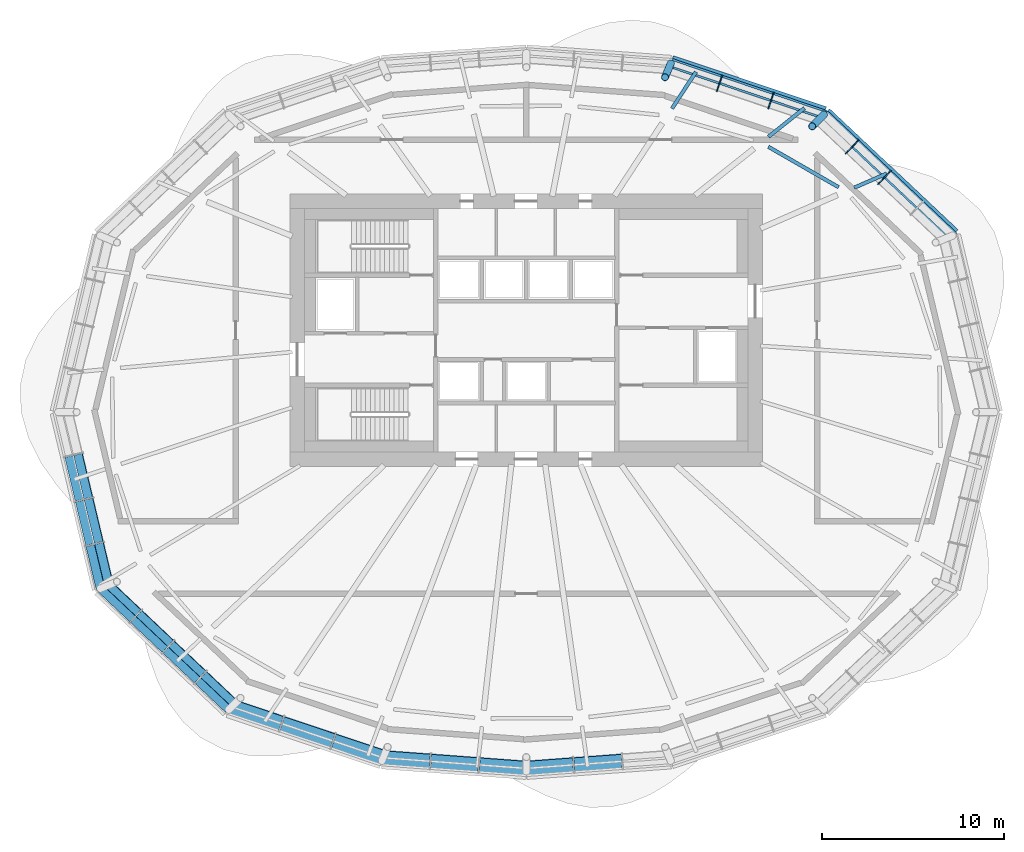
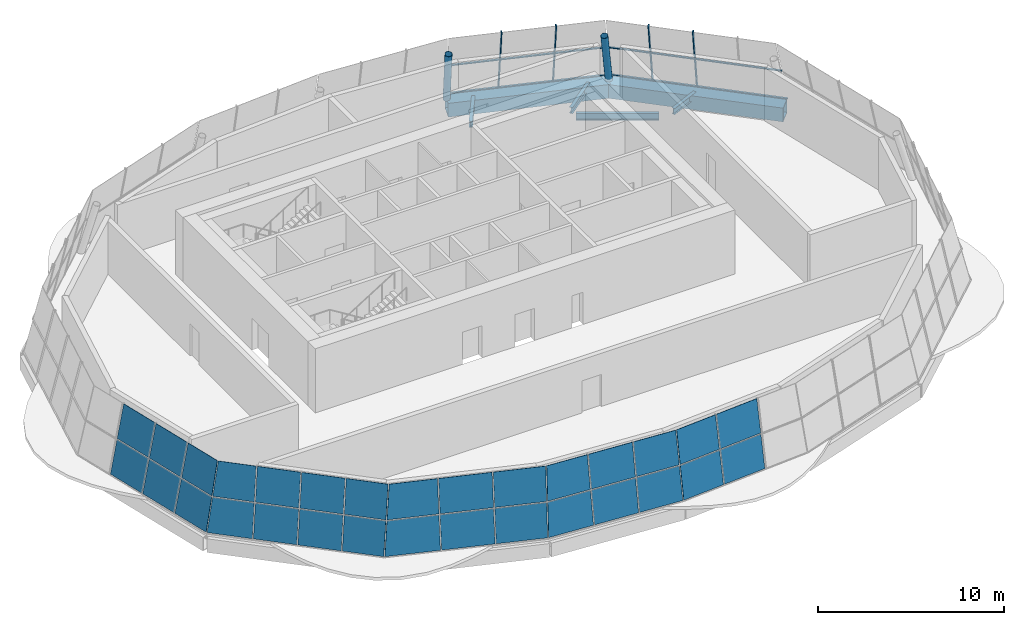
# One storey, part 4 of 9: 30 plates, 10 members, 6 beams, 7 elements without a shape of their own.
"""IFC4 building model written with IfcOpenShell, lengths in metres."""

from ifc_helpers import new_model, si_unit, direction, frame, origin, origin_2d, place, context, subcontext, project, spatial, polyline, rectangle, hollow_rectangle, hollow_circle, i_section, outline, extrude, material, layer, layer_set, material_profile, profile_set, type_object, element, aggregate, save


model = new_model("IFC4")

# Units and contexts
model_context = context("Model", 3, precision=1e-05, world=origin(), true_north=direction((0.0, 1.0)))
body_context = subcontext(model_context, "Body", "Model", "MODEL_VIEW")
ifc_project = project(units=[si_unit("LENGTHUNIT", "METRE"), si_unit("AREAUNIT", "SQUARE_METRE"), si_unit("VOLUMEUNIT", "CUBIC_METRE"), si_unit("PLANEANGLEUNIT", "RADIAN"), si_unit("MASSUNIT", "GRAM", prefix="KILO")], contexts=[model_context])

# Site, building, storey
site_placement = place(None, origin())
site = spatial("IfcSite", under=ifc_project, at=site_placement, CompositionType="ELEMENT")
building_placement = place(site_placement, origin())
building = spatial("IfcBuilding", under=site, at=building_placement, Name="Rubra Terraces Tower", CompositionType="ELEMENT")
storey_placement = place(building_placement, frame((0.0, 0.0, 307.800048828125)))
storey = spatial("IfcBuildingStorey", under=building, at=storey_placement, Name="L76", CompositionType="ELEMENT", Elevation=307.800048828125)

# Beams
ifc_material_1 = material(Name="Steel Q355B", Category="steel")
ifc_material_profile_1 = material_profile(ifc_material_1, i_section(OverallWidth=0.199951171875, OverallDepth=0.39990234375, WebThickness=0.008056640625, FlangeThickness=0.012939453125, at=origin_2d()), Name="HN 400x200x8x13")
ifc_profile_set_1 = profile_set([ifc_material_profile_1], Name="Steel Q355B")
beam_type_1 = type_object("IfcBeamType", Name="CANTILEVER BEAM HN 400x200x8x13", PredefinedType="BEAM", material=ifc_profile_set_1)
beam_1_placement = place(storey_placement, frame((18.047119140625, 12.35205078125, -0.400146484375), z_axis=(0.91683850303, 0.399258261481, 0.0), x_axis=(-0.399258261481, 0.91683850303, 0.0)))
element("IfcBeam", 1, at=beam_1_placement, inside=storey, type_object=beam_type_1, Name="beam-L76-cant-03", PredefinedType="BEAM", context=body_context, shape_type="SweptSolid", body=[
    extrude(i_section(OverallWidth=0.199951171875, OverallDepth=0.39990234375, WebThickness=0.008056640625, FlangeThickness=0.012939453125, at=origin_2d()), origin(), (0.0, 0.0, 1.0), 1.94580078125),
])
beam_2_placement = place(storey_placement, frame((13.326904296875, 15.152099609375, -0.400146484375), z_axis=(0.781206637065, 0.624272528794, 0.0), x_axis=(-0.624272528794, 0.781206637065, 0.0)))
element("IfcBeam", 2, at=beam_2_placement, inside=storey, type_object=beam_type_1, Name="beam-L76-cant-04", PredefinedType="BEAM", context=body_context, shape_type="SweptSolid", body=[
    extrude(i_section(OverallWidth=0.199951171875, OverallDepth=0.39990234375, WebThickness=0.008056640625, FlangeThickness=0.012939453125, at=origin_2d()), origin(), (0.0, 0.0, 1.0), 2.537353515625),
])
beam_3_placement = place(storey_placement, frame((8.01806640625, 16.714111328125, -0.400146484375), z_axis=(0.548503512124, 0.836148250724, 0.0), x_axis=(-0.836148250724, 0.548503512124, 0.0)))
element("IfcBeam", 3, at=beam_3_placement, inside=storey, type_object=beam_type_1, Name="beam-L76-cant-05", PredefinedType="BEAM", context=body_context, shape_type="SweptSolid", body=[
    extrude(i_section(OverallWidth=0.199951171875, OverallDepth=0.39990234375, WebThickness=0.008056640625, FlangeThickness=0.012939453125, at=origin_2d()), origin(), (0.0, 0.0, 1.0), 2.40625),
])

# Members
ifc_material_profile_2 = material_profile(ifc_material_1, hollow_circle(Radius=0.202880859375, WallThickness=0.01611328125, at=origin_2d()), Name="CHS 406x16")
ifc_profile_set_2 = profile_set([ifc_material_profile_2], Name="Steel Q355B")
member_type_1 = type_object("IfcMemberType", Name="CROWN POST CHS 406x16", PredefinedType="POST", material=ifc_profile_set_2)
member_1_placement = place(storey_placement, frame((16.379150390625, 16.379150390625, -0.199951171875), z_axis=(-0.178839493723, -0.178839493723, 0.967487917739), x_axis=(0.707106781187, -0.707106781187, 0.0)))
element("IfcMember", 4, at=member_1_placement, inside=storey, type_object=member_type_1, Name="CROWN POST", PredefinedType="POST", context=body_context, shape_type="SweptSolid", body=[
    extrude(hollow_circle(Radius=0.202880859375, WallThickness=0.01611328125, at=origin_2d()), origin(), (0.0, 0.0, 1.0), 3.61767578125),
])
member_2_placement = place(storey_placement, frame((7.94775390625, 19.188720703125, -0.199951171875), z_axis=(-0.087331454924, -0.211130243668, 0.973548785213), x_axis=(0.924067518239, -0.382229279014, 0.0)))
element("IfcMember", 5, at=member_2_placement, inside=storey, type_object=member_type_1, Name="CROWN POST", PredefinedType="POST", context=body_context, shape_type="SweptSolid", body=[
    extrude(hollow_circle(Radius=0.202880859375, WallThickness=0.01611328125, at=origin_2d()), origin(), (0.0, 0.0, 1.0), 3.59521484375),
])

# Beams
ifc_material_profile_3 = material_profile(ifc_material_1, hollow_rectangle(XDim=0.89990234375, YDim=0.89990234375, WallThickness=0.044921875, at=origin_2d()), Name="BOX 900x900x45")
ifc_profile_set_3 = profile_set([ifc_material_profile_3], Name="Steel Q355B")
beam_type_2 = type_object("IfcBeamType", Name="CROWN RING GIRDER BOX 900x900x45", PredefinedType="BEAM", material=ifc_profile_set_3)
beam_4_placement = place(storey_placement, frame((23.45703125, 9.716064453125, -0.650146484375), z_axis=(-0.728144690434, 0.685423452905, 0.0), x_axis=(-0.685423452905, -0.728144690434, 0.0)))
element("IfcBeam", 6, at=beam_4_placement, inside=storey, type_object=beam_type_2, Name="CROWN RING GIRDER", PredefinedType="BEAM", context=body_context, shape_type="SweptSolid", body=[
    extrude(hollow_rectangle(XDim=0.89990234375, YDim=0.89990234375, WallThickness=0.044921875, at=origin_2d()), origin(), (0.0, 0.0, 1.0), 9.720703125),
])
beam_5_placement = place(storey_placement, frame((16.37890625, 16.37890625, -0.650146484375), z_axis=(-0.948691539337, 0.316203041084, 0.0), x_axis=(-0.316203041084, -0.948691539337, 0.0)))
element("IfcBeam", 7, at=beam_5_placement, inside=storey, type_object=beam_type_2, Name="CROWN RING GIRDER", PredefinedType="BEAM", context=body_context, shape_type="SweptSolid", body=[
    extrude(hollow_rectangle(XDim=0.89990234375, YDim=0.89990234375, WallThickness=0.044921875, at=origin_2d()), origin(), (0.0, 0.0, 1.0), 8.886962890625),
])

# Curtain wall, members
ifc_material_2 = material(Name="Aluminium and glass", Category="aluminium")
curtain_wall_type = type_object("IfcCurtainWallType", Name="Curtain wall Crown glazing", PredefinedType="NOTDEFINED", material=ifc_material_2)
curtain_wall_1_placement = place(storey_placement, origin())
curtain_wall_1 = element("IfcCurtainWall", 8, at=curtain_wall_1_placement, inside=storey, type_object=curtain_wall_type, Name="Crown glazing L76 facet 2", PredefinedType="NOTDEFINED")
ifc_material_3 = material(Name="Aluminium, anodised dark grey", Category="aluminium")
ifc_material_profile_4 = material_profile(ifc_material_3, rectangle(XDim=0.06005859375, YDim=0.159912109375, at=origin_2d()), Name="AL 60x160")
ifc_profile_set_4 = profile_set([ifc_material_profile_4], Name="Aluminium, anodised dark grey")
member_type_2 = type_object("IfcMemberType", Name="Crown glazing mullion 60 x 160", PredefinedType="MULLION", material=ifc_profile_set_4)
member_3_placement = place(storey_placement, frame((20.02880859375, 13.249267578125, 0.0), z_axis=(-0.146142986341, -0.154605988659, 0.977107576377), x_axis=(0.726716925474, -0.686937049685, 0.0)))
member_3 = element("IfcMember", 9, at=member_3_placement, type_object=member_type_2, Name="Crown glazing L76 facet 2 mullion 2", PredefinedType="MULLION", context=body_context, shape_type="SweptSolid", body=[
    extrude(rectangle(XDim=0.06005859375, YDim=0.159912109375, at=origin_2d()), origin(), (0.0, 0.0, 1.0), 4.29833984375),
])
member_4_placement = place(storey_placement, frame((18.246826171875, 14.93408203125, 0.0), z_axis=(-0.146142986341, -0.154605988659, 0.977107576377), x_axis=(0.726716925474, -0.686937049685, 0.0)))
member_4 = element("IfcMember", 10, at=member_4_placement, type_object=member_type_2, Name="Crown glazing L76 facet 2 mullion 3", PredefinedType="MULLION", context=body_context, shape_type="SweptSolid", body=[
    extrude(rectangle(XDim=0.06005859375, YDim=0.159912109375, at=origin_2d()), origin(), (0.0, 0.0, 1.0), 4.29833984375),
])

curtain_wall_2_placement = place(storey_placement, origin())
curtain_wall_2 = element("IfcCurtainWall", 11, at=curtain_wall_2_placement, inside=storey, type_object=curtain_wall_type, Name="Crown glazing L76 facet 3", PredefinedType="NOTDEFINED")
member_5_placement = place(storey_placement, frame((13.5986328125, 17.5341796875, 0.0), z_axis=(-0.061047560781, -0.181488122283, 0.981496437484), x_axis=(0.947815667903, -0.318818850882, 0.0)))
member_5 = element("IfcMember", 12, at=member_5_placement, type_object=member_type_2, Name="Crown glazing L76 facet 3 mullion 1", PredefinedType="MULLION", context=body_context, shape_type="SweptSolid", body=[
    extrude(rectangle(XDim=0.06005859375, YDim=0.159912109375, at=origin_2d()), origin(), (0.0, 0.0, 1.0), 4.279052734375),
])
member_6_placement = place(storey_placement, frame((10.762939453125, 18.487548828125, 0.0), z_axis=(-0.061046928569, -0.181543295987, 0.981486273055), x_axis=(0.947845941516, -0.318728836399, 0.0)))
member_6 = element("IfcMember", 13, at=member_6_placement, type_object=member_type_2, Name="Crown glazing L76 facet 3 mullion 2", PredefinedType="MULLION", context=body_context, shape_type="SweptSolid", body=[
    extrude(rectangle(XDim=0.06005859375, YDim=0.159912109375, at=origin_2d()), origin(), (0.0, 0.0, 1.0), 4.279052734375),
])

# Member
ifc_material_profile_5 = material_profile(ifc_material_3, rectangle(XDim=0.1201171875, YDim=0.06005859375, at=origin_2d()), Name="AL 120x60")
ifc_profile_set_5 = profile_set([ifc_material_profile_5], Name="Aluminium, anodised dark grey")
member_type_3 = type_object("IfcMemberType", Name="Crown glazing transom 120 x 60", PredefinedType="USERDEFINED", material=ifc_profile_set_5)
member_7_placement = place(storey_placement, frame((23.672119140625, 9.804931640625, 0.0), z_axis=(-0.726664500486, 0.686992506316, 0.0), x_axis=(-0.686992506316, -0.726664500486, 0.0)))
member_7 = element("IfcMember", 14, at=member_7_placement, type_object=member_type_3, Name="Crown glazing L76 facet 2 transom 1", ObjectType="TRANSOM", PredefinedType="USERDEFINED", context=body_context, shape_type="SweptSolid", body=[
    extrude(rectangle(XDim=0.1201171875, YDim=0.06005859375, at=origin_2d()), origin(), (0.0, 0.0, 1.0), 9.809326171875),
])

member_8_placement = place(storey_placement, frame((23.208984375, 9.613525390625, 2.099853515625), z_axis=(-0.726667391674, 0.686989448156, 0.0), x_axis=(-0.686989448156, -0.726667391674, 0.0)))
member_8 = element("IfcMember", 15, at=member_8_placement, type_object=member_type_3, Name="Crown glazing L76 facet 2 transom 2", ObjectType="TRANSOM", PredefinedType="USERDEFINED", context=body_context, shape_type="SweptSolid", body=[
    extrude(rectangle(XDim=0.1201171875, YDim=0.06005859375, at=origin_2d()), origin(), (0.0, 0.0, 1.0), 9.6171875),
])

aggregate(curtain_wall_1, [member_3, member_4, member_7, member_8])

member_9_placement = place(storey_placement, frame((16.5439453125, 16.5439453125, 0.0), z_axis=(-0.947861307541, 0.318683136777, 0.0), x_axis=(-0.318683136777, -0.947861307541, 0.0)))
member_9 = element("IfcMember", 16, at=member_9_placement, type_object=member_type_3, Name="Crown glazing L76 facet 3 transom 1", ObjectType="TRANSOM", PredefinedType="USERDEFINED", context=body_context, shape_type="SweptSolid", body=[
    extrude(rectangle(XDim=0.1201171875, YDim=0.06005859375, at=origin_2d()), origin(), (0.0, 0.0, 1.0), 8.974853515625),
])

member_10_placement = place(storey_placement, frame((16.220458984375, 16.220458984375, 2.099853515625), z_axis=(-0.947870015564, 0.318657235277, 0.0), x_axis=(-0.318657235277, -0.947870015564, 0.0)))
member_10 = element("IfcMember", 17, at=member_10_placement, type_object=member_type_3, Name="Crown glazing L76 facet 3 transom 2", ObjectType="TRANSOM", PredefinedType="USERDEFINED", context=body_context, shape_type="SweptSolid", body=[
    extrude(rectangle(XDim=0.1201171875, YDim=0.06005859375, at=origin_2d()), origin(), (0.0, 0.0, 1.0), 8.79931640625),
])

aggregate(curtain_wall_2, [member_5, member_6, member_9, member_10])

# Beam
ifc_material_profile_6 = material_profile(ifc_material_1, i_section(OverallWidth=0.198974609375, OverallDepth=0.446044921875, WebThickness=0.008056640625, FlangeThickness=0.011962890625, at=origin_2d()), Name="HN 446x199x8x12")
ifc_profile_set_6 = profile_set([ifc_material_profile_6], Name="Steel Q355B")
beam_type_3 = type_object("IfcBeamType", Name="SPANDREL BEAM HN 446x199x8x12", PredefinedType="SPANDREL", material=ifc_profile_set_6)
beam_6_placement = place(storey_placement, frame((17.18798828125, 12.37890625, -0.423095703125), z_axis=(-0.866616005945, 0.498975648945, 0.0), x_axis=(-0.498975648945, -0.866616005945, 0.0)))
element("IfcBeam", 18, at=beam_6_placement, inside=storey, type_object=beam_type_3, Name="beam-L76-spandrel-03", PredefinedType="SPANDREL", context=body_context, shape_type="SweptSolid", body=[
    extrude(i_section(OverallWidth=0.198974609375, OverallDepth=0.446044921875, WebThickness=0.008056640625, FlangeThickness=0.011962890625, at=origin_2d()), origin(), (0.0, 0.0, 1.0), 4.463134765625),
])

# Curtain wall, plates
curtain_wall_3_placement = place(storey_placement, origin())
curtain_wall_3 = element("IfcCurtainWall", 19, at=curtain_wall_3_placement, inside=storey, type_object=curtain_wall_type, Name="Crown glazing L76 facet 9", PredefinedType="NOTDEFINED")
ifc_material_4 = material(Name="Clear glass, laminated", Category="glass")
ifc_layer = layer(ifc_material_4, 0.028076171875)
ifc_layer_set = layer_set([ifc_layer], Name="Clear glass, laminated")
plate_type = type_object("IfcPlateType", Name="Crown glazing glass panel 28", PredefinedType="CURTAIN_PANEL", material=ifc_layer_set)
plate_1_placement = place(storey_placement, frame((-25.39990234375, -2.497314453125, 0.029052734375), z_axis=(-0.94704900378, -0.224793093638, 0.229273307413), x_axis=(0.230946869833, -0.972966362855, 8.21853e-06)))
plate_1 = element("IfcPlate", 20, at=plate_1_placement, type_object=plate_type, Name="Crown glazing L76 facet 9 panel 2.1", PredefinedType="CURTAIN_PANEL", context=body_context, shape_type="SweptSolid", body=[
    extrude(outline(polyline([(0.0, 0.0), (2.4595775524422905, 2.7755575615628914e-17), (2.459306622926495, 2.0976036198453736), (2.2994613278732438e-05, 2.097645151982217), (0.0, 0.0)])), origin(), (0.0, 0.0, -1.0), 0.028076171875),
])
plate_2_placement = place(storey_placement, frame((-24.918701171875, -2.383056640625, 2.129150390625), z_axis=(-0.947020236823, -0.224846045412, 0.229340199073), x_axis=(0.231003127129, -0.972953007733, 0.0)))
plate_2 = element("IfcPlate", 21, at=plate_2_placement, type_object=plate_type, Name="Crown glazing L76 facet 9 panel 2.2", PredefinedType="CURTAIN_PANEL", context=body_context, shape_type="SweptSolid", body=[
    extrude(outline(polyline([(0.0, 0.0), (2.4593400160205015, 0.0), (2.4593740434102562, 2.0974075195571227), (3.402738975477516e-05, 2.0974075195571227), (0.0, 0.0)])), origin(), (0.0, 0.0, -1.0), 0.028076171875),
])
plate_3_placement = place(storey_placement, frame((-24.818115234375, -4.948486328125, 0.029052734375), z_axis=(-0.947032785158, -0.224874393742, 0.229260574185), x_axis=(0.231030268796, -0.97294656317, 1.0775414e-05)))
plate_3 = element("IfcPlate", 22, at=plate_3_placement, type_object=plate_type, Name="Crown glazing L76 facet 9 panel 3.1", PredefinedType="CURTAIN_PANEL", context=body_context, shape_type="SweptSolid", body=[
    extrude(outline(polyline([(0.0, 0.0), (2.4596339545770345, 0.0), (2.4596469974378428, 2.097590692627742), (6.944673502643342e-05, 2.0976451496259374), (0.0, 0.0)])), origin(), (0.0, 0.0, -1.0), 0.028076171875),
])
plate_4_placement = place(storey_placement, frame((-24.336669921875, -4.83447265625, 2.129150390625), z_axis=(-0.947019894718, -0.224834494211, 0.229352935935), x_axis=(0.230992558639, -0.97295551689, 2.559521e-06)))
plate_4 = element("IfcPlate", 23, at=plate_4_placement, type_object=plate_type, Name="Crown glazing L76 facet 9 panel 3.2", PredefinedType="CURTAIN_PANEL", context=body_context, shape_type="SweptSolid", body=[
    extrude(outline(polyline([(0.0, 0.0), (2.459340015867358, 2.7755575615628914e-17), (2.4593740435634013, 2.0974075193775477), (-0.0002035102719476248, 2.097420454251918), (0.0, 0.0)])), origin(), (0.0, 0.0, -1.0), 0.028076171875),
])
plate_5_placement = place(storey_placement, frame((-24.236083984375, -7.39990234375, 0.029052734375), z_axis=(-0.947023333537, -0.224852461809, 0.229321120167), x_axis=(0.231008331812, -0.972951771997, -1.398421e-06)))
plate_5 = element("IfcPlate", 24, at=plate_5_placement, type_object=plate_type, Name="Crown glazing L76 facet 9 panel 4.1", PredefinedType="CURTAIN_PANEL", context=body_context, shape_type="SweptSolid", body=[
    extrude(outline(polyline([(0.0, 0.0), (2.4392654798344315, 0.0), (2.3620207207601576, 2.09765205163616), (3.374531958646326e-05, 2.0976451536369263), (0.0, 0.0)])), origin(), (0.0, 0.0, -1.0), 0.028076171875),
])
plate_6_placement = place(storey_placement, frame((-23.754638671875, -7.28564453125, 2.129150390625), z_axis=(-0.947016858974, -0.224865956514, 0.229334625429), x_axis=(0.231023539331, -0.972948161144, 1.167165e-06)))
plate_6 = element("IfcPlate", 25, at=plate_6_placement, type_object=plate_type, Name="Crown glazing L76 facet 9 panel 4.2", PredefinedType="CURTAIN_PANEL", context=body_context, shape_type="SweptSolid", body=[
    extrude(outline(polyline([(0.0, 0.0), (2.3597363453918216, 0.0), (2.2827418794650063, 2.0974019524317127), (4.6501808143533674e-05, 2.0974075192832644), (0.0, 0.0)])), origin(), (0.0, 0.0, -1.0), 0.028076171875),
])
aggregate(curtain_wall_3, [plate_1, plate_2, plate_3, plate_4, plate_5, plate_6])

curtain_wall_4_placement = place(storey_placement, origin())
curtain_wall_4 = element("IfcCurtainWall", 26, at=curtain_wall_4_placement, inside=storey, type_object=curtain_wall_type, Name="Crown glazing L76 facet 10", PredefinedType="NOTDEFINED")
plate_7_placement = place(storey_placement, frame((-23.643798828125, -9.822998046875, 0.029052734375), z_axis=(-0.671277491611, -0.71001268909, 0.212763978595), x_axis=(0.726651065764, -0.687006716562, 4.786775e-06)))
plate_7 = element("IfcPlate", 27, at=plate_7_placement, type_object=plate_type, Name="Crown glazing L76 facet 10 panel 1.1", PredefinedType="CURTAIN_PANEL", context=body_context, shape_type="SweptSolid", body=[
    extrude(outline(polyline([(0.0, 0.0), (2.4982994488405987, 0.0), (2.498341106324468, 2.089579897727415), (0.1991695489078684, 2.089603400262289), (0.0, 0.0)])), origin(), (0.0, 0.0, -1.0), 0.028076171875),
])
plate_8_placement = place(storey_placement, frame((-23.1806640625, -9.63134765625, 2.129150390625), z_axis=(-0.671271342299, -0.710035128405, 0.212708489344), x_axis=(0.726662743559, -0.686994364614, -1.0609003e-05)))
plate_8 = element("IfcPlate", 28, at=plate_8_placement, type_object=plate_type, Name="Crown glazing L76 facet 10 panel 1.2", PredefinedType="CURTAIN_PANEL", context=body_context, shape_type="SweptSolid", body=[
    extrude(outline(polyline([(0.0, 0.0), (2.2934720499876695, -2.7755575615628914e-17), (2.293489832049503, 2.089341344250916), (0.19913599073740013, 2.089293703569441), (0.0, 0.0)])), origin(), (0.0, 0.0, -1.0), 0.028076171875),
])
plate_9_placement = place(storey_placement, frame((-21.78466796875, -11.58056640625, 0.029052734375), z_axis=(-0.671271999256, -0.71001361282, 0.212778224039), x_axis=(0.726652448678, -0.687005253816, -7.708965e-06)))
plate_9 = element("IfcPlate", 29, at=plate_9_placement, type_object=plate_type, Name="Crown glazing L76 facet 10 panel 2.1", PredefinedType="CURTAIN_PANEL", context=body_context, shape_type="SweptSolid", body=[
    extrude(outline(polyline([(0.0, 0.0), (2.392257032050031, -5.551115123125783e-17), (2.3921063453241445, 2.0896176437705876), (1.7039166158486175e-05, 2.089579897031644), (0.0, 0.0)])), origin(), (0.0, 0.0, -1.0), 0.028076171875),
])
plate_10_placement = place(storey_placement, frame((-21.470703125, -11.248291015625, 2.129150390625), z_axis=(-0.671218584608, -0.710056828492, 0.212802518758), x_axis=(0.726700611972, -0.686954307432, -7.709743e-06)))
plate_10 = element("IfcPlate", 30, at=plate_10_placement, type_object=plate_type, Name="Crown glazing L76 facet 10 panel 2.2", PredefinedType="CURTAIN_PANEL", context=body_context, shape_type="SweptSolid", body=[
    extrude(outline(polyline([(0.0, 0.0), (2.3924344373750674, 5.551115123125783e-17), (2.3923149289932937, 2.0893790986550993), (4.820507218958988e-05, 2.089341345103906), (0.0, 0.0)])), origin(), (0.0, 0.0, -1.0), 0.028076171875),
])
plate_11_placement = place(storey_placement, frame((-20.002685546875, -13.265380859375, 0.029052734375), z_axis=(-0.671271999256, -0.71001361282, 0.212778224039), x_axis=(0.726654755365, -0.687002814002, 7.709505e-06)))
plate_11 = element("IfcPlate", 31, at=plate_11_placement, type_object=plate_type, Name="Crown glazing L76 facet 10 panel 3.1", PredefinedType="CURTAIN_PANEL", context=body_context, shape_type="SweptSolid", body=[
    extrude(outline(polyline([(0.0, 0.0), (2.392089306455804, 0.0), (2.3921393188168416, 2.089579896502614), (-0.0001177129353500352, 2.0896176458882367), (0.0, 0.0)])), origin(), (0.0, 0.0, -1.0), 0.028076171875),
])
plate_12_placement = place(storey_placement, frame((-19.688720703125, -12.93310546875, 2.129150390625), z_axis=(-0.671218584608, -0.710056828492, 0.212802518758), x_axis=(0.726702918996, -0.686951866919, 7.710283e-06)))
plate_12 = element("IfcPlate", 32, at=plate_12_placement, type_object=plate_type, Name="Crown glazing L76 facet 10 panel 3.2", PredefinedType="CURTAIN_PANEL", context=body_context, shape_type="SweptSolid", body=[
    extrude(outline(polyline([(0.0, 0.0), (2.3922667242190077, 1.1102230246251565e-16), (2.3923479022262883, 2.0893413440829764), (-8.653485085383836e-05, 2.0893791002809343), (0.0, 0.0)])), origin(), (0.0, 0.0, -1.0), 0.028076171875),
])
plate_13_placement = place(storey_placement, frame((-18.220703125, -14.949951171875, 0.029052734375), z_axis=(-0.671271858452, -0.710026127304, 0.21273690464), x_axis=(0.726659742368, -0.686997539167, 1.57563e-07)))
plate_13 = element("IfcPlate", 33, at=plate_13_placement, type_object=plate_type, Name="Crown glazing L76 facet 10 panel 4.1", PredefinedType="CURTAIN_PANEL", context=body_context, shape_type="SweptSolid", body=[
    extrude(outline(polyline([(0.0, 0.0), (2.283630970596451, 2.7755575615628914e-17), (2.296103196041901, 2.089579160058787), (3.7820089379935474e-05, 2.089579898555653), (0.0, 0.0)])), origin(), (0.0, 0.0, -1.0), 0.028076171875),
])
plate_14_placement = place(storey_placement, frame((-17.906494140625, -14.61767578125, 2.129150390625), z_axis=(-0.671252164758, -0.710048975577, 0.21272278578), x_axis=(0.72667970709, -0.686976421173, -7.416364e-06)))
plate_14 = element("IfcPlate", 34, at=plate_14_placement, type_object=plate_type, Name="Crown glazing L76 facet 10 panel 4.2", PredefinedType="CURTAIN_PANEL", context=body_context, shape_type="SweptSolid", body=[
    extrude(outline(polyline([(0.0, 0.0), (2.296410505757918, -2.7755575615628914e-17), (2.308880187550307, 2.0893406221831348), (-0.00014213549533047308, 2.089305666571599), (0.0, 0.0)])), origin(), (0.0, 0.0, -1.0), 0.028076171875),
])
aggregate(curtain_wall_4, [plate_7, plate_8, plate_9, plate_10, plate_11, plate_12, plate_13, plate_14])

curtain_wall_5_placement = place(storey_placement, origin())
curtain_wall_5 = element("IfcCurtainWall", 35, at=curtain_wall_5_placement, inside=storey, type_object=curtain_wall_type, Name="Crown glazing L76 facet 11", PredefinedType="NOTDEFINED")
plate_15_placement = place(storey_placement, frame((-16.510986328125, -16.549072265625, 0.029296875), z_axis=(-0.312751283609, -0.930322195176, 0.191539154652), x_axis=(0.947871708982, -0.31865219798, -5.840274e-06)))
plate_15 = element("IfcPlate", 36, at=plate_15_placement, type_object=plate_type, Name="Crown glazing L76 facet 11 panel 1.1", PredefinedType="CURTAIN_PANEL", context=body_context, shape_type="SweptSolid", body=[
    extrude(outline(polyline([(0.0, 0.0), (3.0444744714207617, -2.7755575615628914e-17), (3.0444474958018577, 2.0797848181193856), (0.19784812002928273, 2.079749763598363), (0.0, 0.0)])), origin(), (0.0, 0.0, -1.0), 0.028076171875),
])
plate_16_placement = place(storey_placement, frame((-16.1875, -16.2255859375, 2.129150390625), z_axis=(-0.312776404473, -0.93033283426, 0.191446437167), x_axis=(0.947865697333, -0.318670079866, 4.106314e-06)))
plate_16 = element("IfcPlate", 37, at=plate_16_placement, type_object=plate_type, Name="Crown glazing L76 facet 11 panel 1.2", PredefinedType="CURTAIN_PANEL", context=body_context, shape_type="SweptSolid", body=[
    extrude(outline(polyline([(0.0, 0.0), (2.840963695734997, 2.7755575615628914e-17), (2.840795895549274, 2.079965227891392), (0.19786091120461263, 2.0799881708756622), (0.0, 0.0)])), origin(), (0.0, 0.0, -1.0), 0.028076171875),
])
plate_17_placement = place(storey_placement, frame((-13.568359375, -17.538330078125, 0.029296875), z_axis=(-0.312763161863, -0.930320216471, 0.191529369566), x_axis=(0.947867750628, -0.318663972334, -7.419275e-06)))
plate_17 = element("IfcPlate", 38, at=plate_17_placement, type_object=plate_type, Name="Crown glazing L76 facet 11 panel 2.1", PredefinedType="CURTAIN_PANEL", context=body_context, shape_type="SweptSolid", body=[
    extrude(outline(polyline([(0.0, 0.0), (2.931679140569881, 5.551115123125783e-17), (2.9316439922712485, 2.079784816968494), (4.265052273879224e-05, 2.0797404951442178), (0.0, 0.0)])), origin(), (0.0, 0.0, -1.0), 0.028076171875),
])
plate_18_placement = place(storey_placement, frame((-13.437744140625, -17.14990234375, 2.129150390625), z_axis=(-0.312804583198, -0.930321862023, 0.191453717048), x_axis=(0.947855634408, -0.318700009917, 0.0)))
plate_18 = element("IfcPlate", 39, at=plate_18_placement, type_object=plate_type, Name="Crown glazing L76 facet 11 panel 2.2", PredefinedType="CURTAIN_PANEL", context=body_context, shape_type="SweptSolid", body=[
    extrude(outline(polyline([(0.0, 0.0), (2.931679142769455, 2.7755575615628914e-17), (2.93172179769131, 2.0799801221439136), (4.265492185498432e-05, 2.0799801221439136), (0.0, 0.0)])), origin(), (0.0, 0.0, -1.0), 0.028076171875),
])
plate_19_placement = place(storey_placement, frame((-10.732666015625, -18.49169921875, 0.029296875), z_axis=(-0.312797344516, -0.930305366954, 0.191545674657), x_axis=(0.947856489557, -0.318697466535, 5.373989e-06)))
plate_19 = element("IfcPlate", 40, at=plate_19_placement, type_object=plate_type, Name="Crown glazing L76 facet 11 panel 3.1", PredefinedType="CURTAIN_PANEL", context=body_context, shape_type="SweptSolid", body=[
    extrude(outline(polyline([(0.0, 0.0), (2.8162584823727403, 5.551115123125783e-17), (2.843334499452304, 2.079753830232115), (-2.3113828332494973e-05, 2.0797848187367145), (0.0, 0.0)])), origin(), (0.0, 0.0, -1.0), 0.028076171875),
])
plate_20_placement = place(storey_placement, frame((-10.602294921875, -18.103271484375, 2.129150390625), z_axis=(-0.312802356087, -0.930315545044, 0.19148804839), x_axis=(0.947855681275, -0.318699870527, 2.43245e-07)))
plate_20 = element("IfcPlate", 41, at=plate_20_placement, type_object=plate_type, Name="Crown glazing L76 facet 11 panel 3.2", PredefinedType="CURTAIN_PANEL", context=body_context, shape_type="SweptSolid", body=[
    extrude(outline(polyline([(0.0, 0.0), (2.8443610614235277, 2.7755575615628914e-17), (2.8714255952245136, 2.0799936035432207), (0.0002746201483772217, 2.079995020027496), (0.0, 0.0)])), origin(), (0.0, 0.0, -1.0), 0.028076171875),
])
aggregate(curtain_wall_5, [plate_15, plate_16, plate_17, plate_18, plate_19, plate_20])

curtain_wall_6_placement = place(storey_placement, origin())
curtain_wall_6 = element("IfcCurtainWall", 42, at=curtain_wall_6_placement, inside=storey, type_object=curtain_wall_type, Name="Crown glazing L76 facet 12", PredefinedType="NOTDEFINED")
plate_21_placement = place(storey_placement, frame((-8.0048828125, -19.40087890625, 0.029296875), z_axis=(-0.072739943783, -0.980495843616, 0.182583682814), x_axis=(0.997259553095, -0.073982320285, 6.825852e-06)))
plate_21 = element("IfcPlate", 43, at=plate_21_placement, type_object=plate_type, Name="Crown glazing L76 facet 12 panel 1.1", PredefinedType="CURTAIN_PANEL", context=body_context, shape_type="SweptSolid", body=[
    extrude(outline(polyline([(0.0, 0.0), (2.6743137298431234, 0.0), (2.6743667786117524, 2.0761407799257086), (0.12489184709110136, 2.076177046362736), (0.0, 0.0)])), origin(), (0.0, 0.0, -1.0), 0.028076171875),
])
plate_22_placement = place(storey_placement, frame((-7.847900390625, -19.021484375, 2.12939453125), z_axis=(-0.072734958728, -0.980496240973, 0.1825835349), x_axis=(0.997259933802, -0.073977188259, 7.148071e-06)))
plate_22 = element("IfcPlate", 44, at=plate_22_placement, type_object=plate_type, Name="Crown glazing L76 facet 12 panel 1.2", PredefinedType="CURTAIN_PANEL", context=body_context, shape_type="SweptSolid", body=[
    extrude(outline(polyline([(0.0, 0.0), (2.5457867343143814, -6.938893903907228e-18), (2.545842391047969, 2.076140779872441), (0.1248944560999106, 2.076176889431906), (0.0, 0.0)])), origin(), (0.0, 0.0, -1.0), 0.028076171875),
])
plate_23_placement = place(storey_placement, frame((-5.278076171875, -19.60302734375, 0.029296875), z_axis=(-0.072705545348, -0.980496656807, 0.182593016479), x_axis=(0.997261930282, -0.073950269383, -8.321264e-06)))
plate_23 = element("IfcPlate", 45, at=plate_23_placement, type_object=plate_type, Name="Crown glazing L76 facet 12 panel 2.1", PredefinedType="CURTAIN_PANEL", context=body_context, shape_type="SweptSolid", body=[
    extrude(outline(polyline([(0.0, 0.0), (2.6263404302953206, 0.0), (2.626356685328656, 2.07618523544396), (3.430929832119652e-05, 2.0761407792771958), (0.0, 0.0)])), origin(), (0.0, 0.0, -1.0), 0.028076171875),
])
plate_24_placement = place(storey_placement, frame((-5.249267578125, -19.214111328125, 2.12939453125), z_axis=(-0.072748457758, -0.980504810367, 0.182532130709), x_axis=(0.9972588788, -0.073991409326, 6.17137e-07)))
plate_24 = element("IfcPlate", 46, at=plate_24_placement, type_object=plate_type, Name="Crown glazing L76 facet 12 panel 2.2", PredefinedType="CURTAIN_PANEL", context=body_context, shape_type="SweptSolid", body=[
    extrude(outline(polyline([(0.0, 0.0), (2.6265839044114845, -6.938893903907228e-18), (2.626377354224006, 2.0761374854943826), (3.6921218478767786e-05, 2.076140782663448), (0.0, 0.0)])), origin(), (0.0, 0.0, -1.0), 0.028076171875),
])
plate_25_placement = place(storey_placement, frame((-2.59912109375, -19.8017578125, 0.029296875), z_axis=(-0.072696548224, -0.9805134304, 0.182506505861), x_axis=(0.997262873902, -0.073937543356, 4.461942e-06)))
plate_25 = element("IfcPlate", 47, at=plate_25_placement, type_object=plate_type, Name="Crown glazing L76 facet 12 panel 3.1", PredefinedType="CURTAIN_PANEL", context=body_context, shape_type="SweptSolid", body=[
    extrude(outline(polyline([(0.0, 0.0), (2.5763832443258314, 6.938893903907228e-18), (2.5483047503894722, 2.0761175246606705), (6.523918022709942e-05, 2.0761407810302326), (0.0, 0.0)])), origin(), (0.0, 0.0, -1.0), 0.028076171875),
])
plate_26_placement = place(storey_placement, frame((-2.5703125, -19.412841796875, 2.12939453125), z_axis=(-0.072722641942, -0.980500193903, 0.182567212566), x_axis=(0.997260735056, -0.073966386314, -3.400197e-06)))
plate_26 = element("IfcPlate", 48, at=plate_26_placement, type_object=plate_type, Name="Crown glazing L76 facet 12 panel 3.2", PredefinedType="CURTAIN_PANEL", context=body_context, shape_type="SweptSolid", body=[
    extrude(outline(polyline([(0.0, 0.0), (2.5475090964905602, 6.938893903907228e-18), (2.519385538743033, 2.0761616012488173), (0.00028170171128678173, 2.076144079284101), (0.0, 0.0)])), origin(), (0.0, 0.0, -1.0), 0.028076171875),
])
aggregate(curtain_wall_6, [plate_21, plate_22, plate_23, plate_24, plate_25, plate_26])

curtain_wall_7_placement = place(storey_placement, origin())
curtain_wall_7 = element("IfcCurtainWall", 49, at=curtain_wall_7_placement, inside=storey, type_object=curtain_wall_type, Name="Crown glazing L76 facet 13", PredefinedType="NOTDEFINED")
plate_27_placement = place(storey_placement, frame((0.02978515625, -19.9921875, 0.029541015625), z_axis=(0.072696258565, -0.980509523544, 0.182527609499), x_axis=(0.997262873916, 0.073937543165, -4.46244e-06)))
plate_27 = element("IfcPlate", 50, at=plate_27_placement, type_object=plate_type, Name="Crown glazing L76 facet 13 panel 1.1", PredefinedType="CURTAIN_PANEL", context=body_context, shape_type="SweptSolid", body=[
    extrude(outline(polyline([(0.0, 0.0), (2.576383244325837, -6.938893903907228e-18), (2.576318005145598, 2.0759007426636678), (0.028078493936371345, 2.075877483604919), (0.0, 0.0)])), origin(), (0.0, 0.0, -1.0), 0.028076171875),
])
plate_28_placement = place(storey_placement, frame((0.02978515625, -19.601318359375, 2.12939453125), z_axis=(0.072722351986, -0.980496284501, 0.18258832274), x_axis=(0.997260735045, 0.07396638646, 3.400576e-06)))
plate_28 = element("IfcPlate", 51, at=plate_28_placement, type_object=plate_type, Name="Crown glazing L76 facet 13 panel 1.2", PredefinedType="CURTAIN_PANEL", context=body_context, shape_type="SweptSolid", body=[
    extrude(outline(polyline([(0.0, 0.0), (2.5475090964905642, 6.938893903907228e-18), (2.5472273947792705, 2.075904041298912), (0.028123557747534143, 2.075921565289686), (0.0, 0.0)])), origin(), (0.0, 0.0, -1.0), 0.028076171875),
])
plate_29_placement = place(storey_placement, frame((2.658935546875, -19.79736328125, 0.029541015625), z_axis=(0.072705255378, -0.980492746313, 0.18261412943), x_axis=(0.997261930255, 0.07395026974, 8.322193e-06)))
plate_29 = element("IfcPlate", 52, at=plate_29_placement, type_object=plate_type, Name="Crown glazing L76 facet 13 panel 2.1", PredefinedType="CURTAIN_PANEL", context=body_context, shape_type="SweptSolid", body=[
    extrude(outline(polyline([(0.0, 0.0), (2.626340430295343, 6.938893903907228e-18), (2.6263061209969782, 2.075900740910448), (-1.625503329151437e-05, 2.075945202217611), (0.0, 0.0)])), origin(), (0.0, 0.0, -1.0), 0.028076171875),
])
plate_30_placement = place(storey_placement, frame((2.6298828125, -19.408447265625, 2.12939453125), z_axis=(0.07274816781, -0.980500902449, 0.182553237106), x_axis=(0.997258878802, 0.0739914093, -6.17206e-07)))
plate_30 = element("IfcPlate", 53, at=plate_30_placement, type_object=plate_type, Name="Crown glazing L76 facet 13 panel 2.2", PredefinedType="CURTAIN_PANEL", context=body_context, shape_type="SweptSolid", body=[
    extrude(outline(polyline([(0.0, 0.0), (2.6265839044114845, 6.938893903907228e-18), (2.626546983193006, 2.0759007442970647), (0.00020655018747851313, 2.0758974467467435), (0.0, 0.0)])), origin(), (0.0, 0.0, -1.0), 0.028076171875),
])
aggregate(curtain_wall_7, [plate_27, plate_28, plate_29, plate_30])

save(model, "model.ifc")
